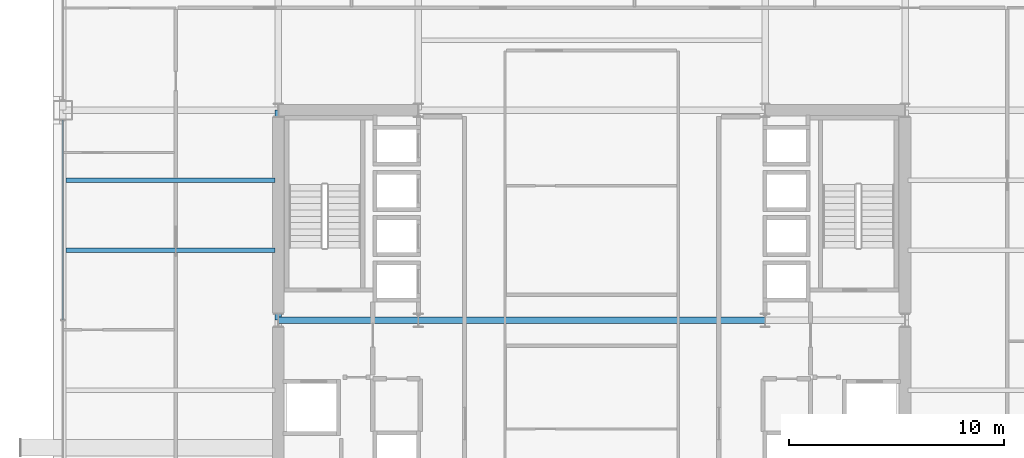
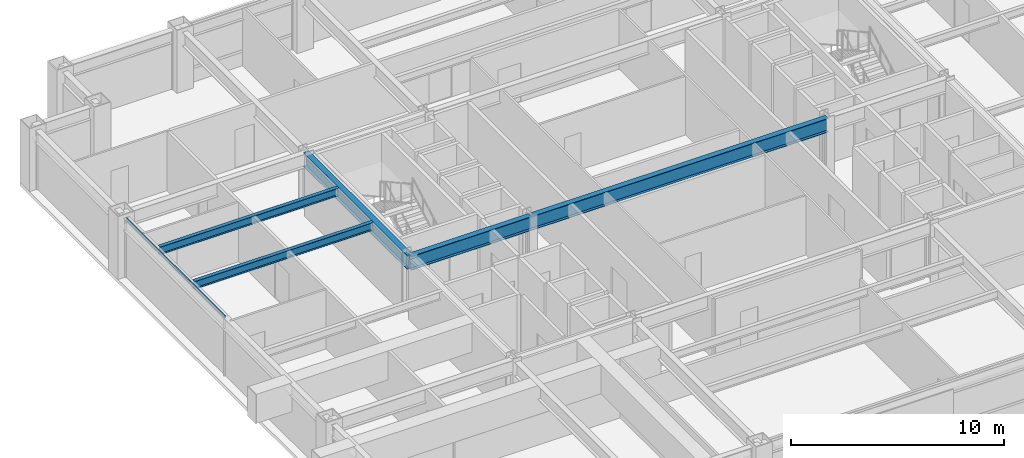
# One storey, part 9 of 29: 5 beams, 1 member, 1 element without a shape of its own.
"""IFC4 building model written with IfcOpenShell, lengths in metres."""

from ifc_helpers import new_model, si_unit, direction, frame, origin, origin_2d, place, context, subcontext, project, spatial, hollow_rectangle, i_section, extrude, material, layer, layer_set, material_profile, profile_set, type_object, element, aggregate, save


model = new_model("IFC4")

# Units and contexts
model_context = context("Model", 3, precision=1e-05, world=origin(), true_north=direction((0.0, 1.0)))
body_context = subcontext(model_context, "Body", "Model", "MODEL_VIEW")
ifc_project = project(units=[si_unit("LENGTHUNIT", "METRE"), si_unit("AREAUNIT", "SQUARE_METRE"), si_unit("VOLUMEUNIT", "CUBIC_METRE"), si_unit("PLANEANGLEUNIT", "RADIAN"), si_unit("MASSUNIT", "GRAM", prefix="KILO")], contexts=[model_context])

# Site, building, storey
site_placement = place(None, origin())
site = spatial("IfcSite", under=ifc_project, at=site_placement, CompositionType="ELEMENT")
building_placement = place(site_placement, origin())
building = spatial("IfcBuilding", under=site, at=building_placement, Name="Brelmoor Portico Tower", CompositionType="ELEMENT")
storey_placement = place(building_placement, frame((0.0, 0.0, 52.800048828125)))
storey = spatial("IfcBuildingStorey", under=building, at=storey_placement, Name="L13", CompositionType="ELEMENT", Elevation=52.800048828125)

# Beams
ifc_material_1 = material(Name="Steel Q355B", Category="steel")
ifc_material_profile_1 = material_profile(ifc_material_1, i_section(OverallWidth=0.199951171875, OverallDepth=0.449951171875, WebThickness=0.009033203125, FlangeThickness=0.013916015625, at=origin_2d()), Name="HN 450x200x9x14")
ifc_profile_set_1 = profile_set([ifc_material_profile_1], Name="Steel Q355B")
beam_type_1 = type_object("IfcBeamType", Name="BM-JS-450", PredefinedType="JOIST", material=ifc_profile_set_1)
for number, where, z_axis, x_axis, name in (
    (1, (-24.39990234375, 3.25, 3.175048828125), (1.0, 0.0, 0.0), (0.0, 1.0, 0.0), "L13 Secondary Wing Joist JS-W06"),
    (2, (-24.39990234375, 6.5, 3.175048828125), (1.0, 0.0, 0.0), (0.0, 1.0, 0.0), "L13 Secondary Wing Joist JS-W07"),
):
    element("IfcBeam", number, at=place(storey_placement, frame(where, z_axis=z_axis, x_axis=x_axis)), inside=storey, type_object=beam_type_1, Name=name, PredefinedType="JOIST", context=body_context, shape_type="SweptSolid", body=[
        extrude(i_section(OverallWidth=0.199951171875, OverallDepth=0.449951171875, WebThickness=0.009033203125, FlangeThickness=0.013916015625, at=origin_2d()), origin(), (0.0, 0.0, 1.0), 9.699951171875),
    ])
ifc_material_profile_2 = material_profile(ifc_material_1, i_section(OverallWidth=0.300048828125, OverallDepth=0.800048828125, WebThickness=0.013916015625, FlangeThickness=0.02587890625, at=origin_2d()), Name="HN 800x300x14x26")
ifc_profile_set_2 = profile_set([ifc_material_profile_2], Name="Steel Q355B")
beam_type_2 = type_object("IfcBeamType", Name="BM-PG-800", PredefinedType="BEAM", material=ifc_profile_set_2)
beam_1_placement = place(storey_placement, frame((-14.550048828125, 0.0, 3.0), z_axis=(0.0, 1.0, 0.0), x_axis=(-1.0, 0.0, 0.0)))
element("IfcBeam", 3, at=beam_1_placement, inside=storey, type_object=beam_type_2, Name="L13 Primary Floor Girder PG-05", PredefinedType="BEAM", context=body_context, shape_type="SweptSolid", body=[
    extrude(i_section(OverallWidth=0.300048828125, OverallDepth=0.800048828125, WebThickness=0.013916015625, FlangeThickness=0.02587890625, at=origin_2d()), origin(), (0.0, 0.0, 1.0), 9.75),
])
beam_2_placement = place(storey_placement, frame((-14.550048828125, 0.0, 3.0), z_axis=(1.0, 0.0, 0.0), x_axis=(0.0, 1.0, 0.0)))
element("IfcBeam", 4, at=beam_2_placement, inside=storey, type_object=beam_type_2, Name="L13 Primary Floor Girder PG-24", PredefinedType="BEAM", context=body_context, shape_type="SweptSolid", body=[
    extrude(i_section(OverallWidth=0.300048828125, OverallDepth=0.800048828125, WebThickness=0.013916015625, FlangeThickness=0.02587890625, at=origin_2d()), origin(), (0.0, 0.0, 1.0), 6.5),
])
beam_3_placement = place(storey_placement, frame((-8.050048828125, 0.0, 3.0), z_axis=(1.0, 0.0, 0.0), x_axis=(0.0, 1.0, 0.0)))
element("IfcBeam", 5, at=beam_3_placement, inside=storey, type_object=beam_type_2, Name="L13 Primary Floor Girder PG-25", PredefinedType="BEAM", context=body_context, shape_type="SweptSolid", body=[
    extrude(i_section(OverallWidth=0.300048828125, OverallDepth=0.800048828125, WebThickness=0.013916015625, FlangeThickness=0.02587890625, at=origin_2d()), origin(), (0.0, 0.0, 1.0), 16.10009765625),
])

# Curtain wall, member
ifc_material_2 = material(Name="Anodised Aluminium Alloy 6063-T6", Category="aluminium")
ifc_layer = layer(ifc_material_2, 0.179931640625)
ifc_layer_set = layer_set([ifc_layer], Name="Anodised Aluminium Alloy 6063-T6")
curtain_wall_type = type_object("IfcCurtainWallType", Name="CW-TOWER-Z1-XB", PredefinedType="NOTDEFINED", material=ifc_layer_set)
curtain_wall_placement = place(storey_placement, origin())
curtain_wall = element("IfcCurtainWall", 6, at=curtain_wall_placement, inside=storey, type_object=curtain_wall_type, Name="L13 Curtain Wall CW-L13-03-2", PredefinedType="NOTDEFINED")
ifc_material_profile_3 = material_profile(ifc_material_2, hollow_rectangle(XDim=0.06494140625, YDim=0.139892578125, WallThickness=0.00390625, at=origin_2d()), Name="ALU TRANSOM 65x140")
ifc_profile_set_3 = profile_set([ifc_material_profile_3], Name="Anodised Aluminium Alloy 6063-T6")
member_type = type_object("IfcMemberType", Name="MB-CW-TRAN-140", PredefinedType="USERDEFINED", material=ifc_profile_set_3)
member_placement = place(storey_placement, frame((-24.550048828125, 0.0, 3.329833984375), z_axis=(0.0, 1.0, 0.0), x_axis=(-1.0, 0.0, 0.0)))
member = element("IfcMember", 7, at=member_placement, type_object=member_type, Name="CW-L13-03-2 Transom 1-01", ObjectType="TRANSOM", PredefinedType="USERDEFINED", context=body_context, shape_type="SweptSolid", body=[
    extrude(hollow_rectangle(XDim=0.06494140625, YDim=0.139892578125, WallThickness=0.00390625, at=origin_2d()), origin(), (0.0, 0.0, 1.0), 9.2900390625),
])
aggregate(curtain_wall, [member])

save(model, "model.ifc")
